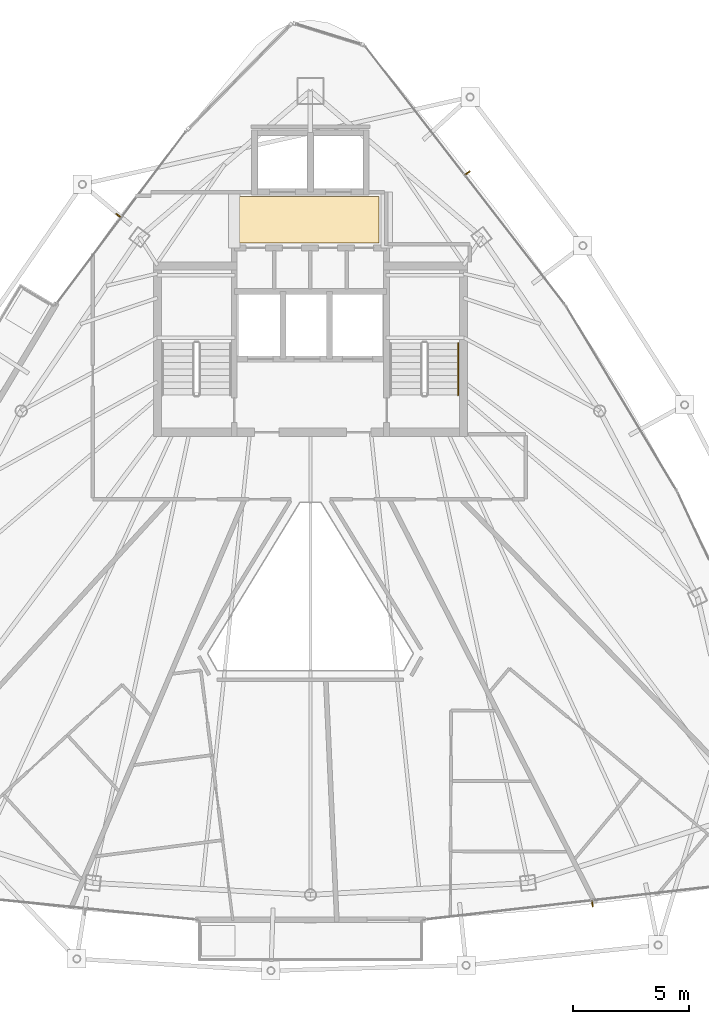
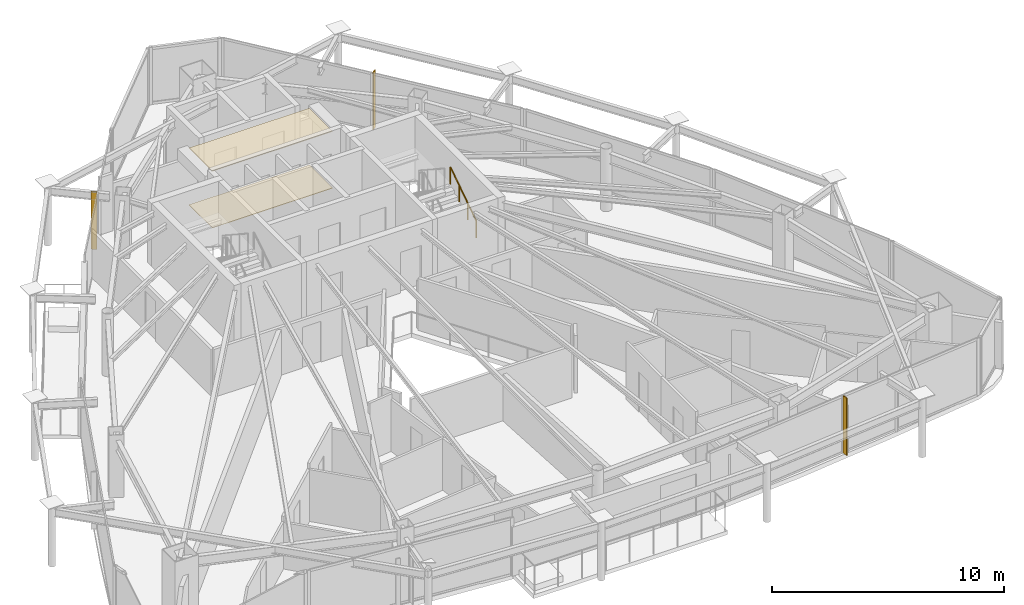
# One storey, part 30 of 30: 3 shading devices, 2 coverings, 1 railing.
"""IFC4 building model written with IfcOpenShell, lengths in metres."""

from ifc_helpers import new_model, si_unit, direction, frame, origin, origin_2d, place, context, subcontext, project, spatial, polyline, rectangle, circle, outline, extrude, material, layer, layer_set, type_object, element, save


model = new_model("IFC4")

# Units and contexts
model_context = context("Model", 3, precision=1e-05, world=origin(), true_north=direction((0.0, 1.0)))
body_context = subcontext(model_context, "Body", "Model", "MODEL_VIEW")
ifc_project = project(units=[si_unit("LENGTHUNIT", "METRE"), si_unit("AREAUNIT", "SQUARE_METRE"), si_unit("VOLUMEUNIT", "CUBIC_METRE"), si_unit("PLANEANGLEUNIT", "RADIAN"), si_unit("MASSUNIT", "GRAM", prefix="KILO")], contexts=[model_context])

# Site, building, storey
site_placement = place(None, origin())
site = spatial("IfcSite", under=ifc_project, at=site_placement, CompositionType="ELEMENT")
building_placement = place(site_placement, origin())
building = spatial("IfcBuilding", under=site, at=building_placement, Name="Orvanel Arch Residences", CompositionType="ELEMENT")
storey_placement = place(building_placement, frame((0.0, 0.0, 273.35009765625)))
storey = spatial("IfcBuildingStorey", under=building, at=storey_placement, Name="L78", CompositionType="ELEMENT", Elevation=273.35009765625)

# Coverings
ifc_material_1 = material(Name="Perforated acoustic mineral-fibre ceiling tile", Category="gypsum")
ifc_layer_1 = layer(ifc_material_1, 0.034912109375)
ifc_layer_set_1 = layer_set([ifc_layer_1], Name="Perforated acoustic mineral-fibre ceiling tile")
covering_type_1 = type_object("IfcCoveringType", Name="COV-CLG-ACS35", PredefinedType="CEILING", material=ifc_layer_set_1)
covering_1_placement = place(storey_placement, frame((0.0, 0.0, 2.98486328125)))
element("IfcCovering", 1, at=covering_1_placement, inside=storey, type_object=covering_type_1, Name="L78 Lift Lobby Acoustic Ceiling", PredefinedType="CEILING", context=body_context, shape_type="SweptSolid", body=[
    extrude(outline(polyline([(29.949951171875, 34.85009765625), (35.949951171875, 34.85009765625), (35.949951171875, 36.85009765625), (29.949951171875, 36.85009765625), (29.949951171875, 34.85009765625)])), origin(), (0.0, 0.0, 1.0), 0.03515625),
])
ifc_material_2 = material(Name="Honed cementitious terrazzo floor finish", Category="concrete")
ifc_layer_2 = layer(ifc_material_2, 0.02490234375)
ifc_layer_set_2 = layer_set([ifc_layer_2], Name="Honed cementitious terrazzo floor finish")
covering_type_2 = type_object("IfcCoveringType", Name="COV-FLR-TRZ25", PredefinedType="FLOORING", material=ifc_layer_set_2)
covering_2_placement = place(storey_placement, origin())
element("IfcCovering", 2, at=covering_2_placement, inside=storey, type_object=covering_type_2, Name="L78 Lift Lobby Terrazzo Flooring", PredefinedType="FLOORING", context=body_context, shape_type="SweptSolid", body=[
    extrude(outline(polyline([(29.949951171875, 34.85009765625), (35.949951171875, 34.85009765625), (35.949951171875, 36.85009765625), (29.949951171875, 36.85009765625), (29.949951171875, 34.85009765625)])), origin(), (0.0, 0.0, 1.0), 0.02490234375),
])

# Shading devices
ifc_material_3 = material(Name="Bronze-anodised aluminium AA6063-T6", Category="aluminium")
ifc_layer_3 = layer(ifc_material_3, 0.050048828125)
ifc_layer_set_3 = layer_set([ifc_layer_3], Name="Bronze-anodised aluminium AA6063-T6")
shading_device_type = type_object("IfcShadingDeviceType", Name="FIN-BRZ-260", PredefinedType="USERDEFINED", material=ifc_layer_set_3)
for number, where, z_axis, x_axis, name in (
    (3, (24.741943359375, 36.044921875, 0.0), (0.0, 0.0, 1.0), (-0.799684658487, 0.600420225326, 0.0), "L78 Anodised Bronze Mullion FIN 01"),
    (4, (45.117919921875, 6.451904296875, 0.0), (0.0, 0.0, 1.0), (0.113203213768, -0.993571855677, 0.0), "L78 Anodised Bronze Mullion FIN 01"),
    (5, (39.760009765625, 37.8740234375, 0.0), (0.0, 0.0, 1.0), (0.791223532967, 0.611527040186, 0.0), "L78 Anodised Bronze Mullion FIN 01"),
):
    element("IfcShadingDevice", number, at=place(storey_placement, frame(where, z_axis=z_axis, x_axis=x_axis)), inside=storey, type_object=shading_device_type, Name=name, ObjectType="FIN", PredefinedType="USERDEFINED", context=body_context, shape_type="SweptSolid", body=[
        extrude(rectangle(XDim=0.260009765625, YDim=0.050048828125, at=origin_2d()), origin(), (0.0, 0.0, 1.0), 3.02001953125),
    ])

# Railing
ifc_material_4 = material(Name="Structural steel AS/NZS 1163 C350L0 (Grade 350)", Category="steel")
railing_type = type_object("IfcRailingType", Name="RL-STAIR-HAND", PredefinedType="HANDRAIL", material=ifc_material_4)
railing_placement = place(storey_placement, frame((39.35009765625, 28.320068359375, 0.183349609375)))
element("IfcRailing", 6, at=railing_placement, inside=storey, type_object=railing_type, Name="L78 ST-2 stair handrail 1", PredefinedType="HANDRAIL", context=body_context, shape_type="SweptSolid", body=[
    extrude(circle(Radius=0.02392578125, at=origin_2d()), frame((0.0, 0.001220703125, 0.876708984375), z_axis=(0.0, 0.836636935527, 0.547757827979), x_axis=(-1.0, 0.0, 0.0)), (0.0, 0.0, 1.0), 2.67431640625),
    extrude(circle(Radius=0.02099609375, at=origin_2d()), origin(), (0.0, 0.0, 1.0), 0.849853515625),
    extrude(circle(Radius=0.02099609375, at=origin_2d()), frame((0.0, 0.74658203125, 0.48876953125)), (0.0, 0.0, 1.0), 0.849853515625),
    extrude(circle(Radius=0.02099609375, at=origin_2d()), frame((0.0, 1.493408203125, 0.977783203125)), (0.0, 0.0, 1.0), 0.849853515625),
    extrude(circle(Radius=0.02099609375, at=origin_2d()), frame((0.0, 2.239990234375, 1.466552734375)), (0.0, 0.0, 1.0), 0.849853515625),
])

save(model, "model.ifc")
